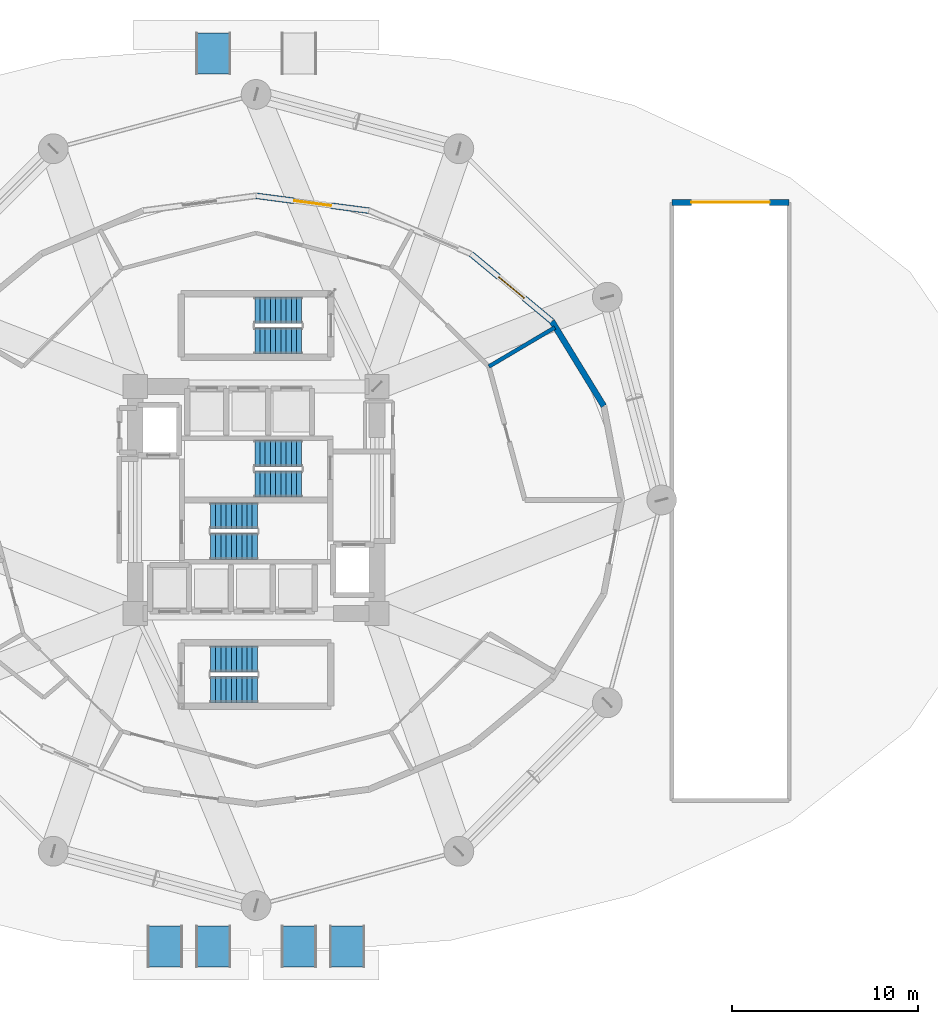
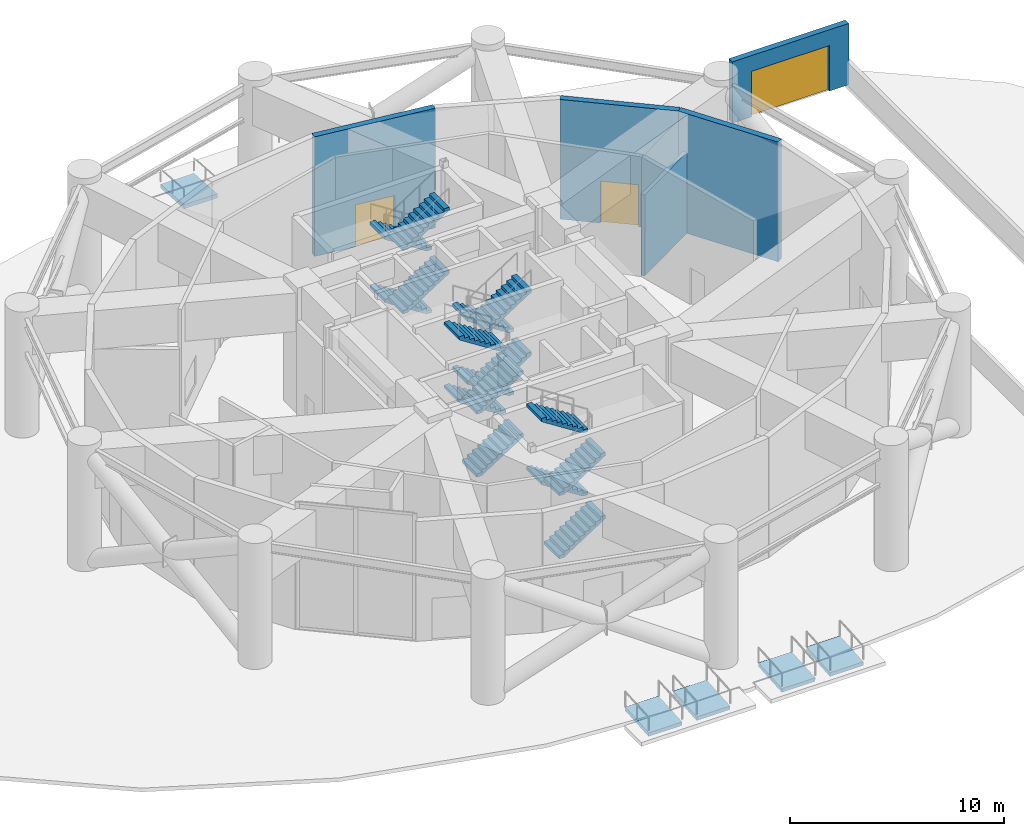
# One storey, part 12 of 16: 16 stair flights, 5 ramp flights, 5 walls, 3 doors, 3 openings, 9 elements without a shape of their own.
"""IFC4 building model written with IfcOpenShell, lengths in metres."""

from ifc_helpers import new_model, si_unit, direction, frame, frame_2d, origin, place, context, subcontext, project, spatial, polyline, rectangle, outline, extrude, material, layer, layer_set, type_object, element, fill, aggregate, save


model = new_model("IFC4")

# Units and contexts
model_context = context("Model", 3, precision=1e-05, world=origin(), true_north=direction((0.0, 1.0)))
body_context = subcontext(model_context, "Body", "Model", "MODEL_VIEW")
ifc_project = project(units=[si_unit("LENGTHUNIT", "METRE"), si_unit("AREAUNIT", "SQUARE_METRE"), si_unit("VOLUMEUNIT", "CUBIC_METRE"), si_unit("PLANEANGLEUNIT", "RADIAN"), si_unit("MASSUNIT", "GRAM", prefix="KILO")], contexts=[model_context])

# Site, building, storey
site_placement = place(None, origin())
site = spatial("IfcSite", under=ifc_project, at=site_placement, CompositionType="ELEMENT")
building_placement = place(site_placement, origin())
building = spatial("IfcBuilding", under=site, at=building_placement, Name="Solvirekh Grand Hotel", CompositionType="ELEMENT")
storey_placement = place(building_placement, origin())
storey = spatial("IfcBuildingStorey", under=building, at=storey_placement, Name="L00", CompositionType="ELEMENT", Elevation=0.0)

# Wall, opening, door
ifc_material_1 = material(Name="Precast concrete C45/55", Category="concrete")
ifc_layer_1 = layer(ifc_material_1, 0.320068359375)
ifc_layer_set_1 = layer_set([ifc_layer_1], Name="Precast concrete C45/55")
wall_type_1 = type_object("IfcWallType", Name="ExtLobbyWall_RC320", PredefinedType="SOLIDWALL", material=ifc_layer_set_1)
wall_1_placement = place(storey_placement, frame((22.35009765625, 16.0, 0.0), z_axis=(0.0, 0.0, 1.0), x_axis=(1.0, 0.0, 0.0)))
wall_1 = element("IfcWall", 1, at=wall_1_placement, inside=storey, type_object=wall_type_1, Name="L00 car-park ramp entry portal head wall", PredefinedType="SOLIDWALL", context=body_context, shape_type="SweptSolid", body=[
    extrude(rectangle(XDim=6.2998046875, YDim=0.320068359375, at=frame_2d((3.14990234375, 0.0))), origin(), (0.0, 0.0, 1.0), 3.5),
])
opening_1_placement = place(wall_1_placement, frame((1.050048828125, 0.0, 0.0)))
opening_1 = element("IfcOpeningElement", 2, at=opening_1_placement, cuts=wall_1, Name="Opening VG01", PredefinedType="OPENING", context=body_context, shape_type="SweptSolid", body=[
    extrude(rectangle(XDim=4.199951171875, YDim=2.60009765625, at=frame_2d((2.10009765625, 1.300048828125))), frame((0.0, 0.169921875, 0.0), z_axis=(0.0, -1.0, 0.0), x_axis=(1.0, 0.0, 0.0)), (0.0, 0.0, 1.0), 0.340087890625),
])
ifc_material_2 = material(Name="Fire-Rated Steel Door Assembly", Category="steel")
door_type_1 = type_object("IfcDoorType", Name="Gate_VehicleRamp_4200X2600", OperationType="ROLLINGUP", PredefinedType="GATE", material=ifc_material_2)
door_1_placement = place(opening_1_placement, origin())
door_1 = element("IfcDoor", 3, at=door_1_placement, inside=storey, type_object=door_type_1, Name="L00 car-park vehicle ramp insulated shutter gate", OperationType="ROLLINGUP", OverallHeight=2.60009765625, OverallWidth=4.199951171875, PredefinedType="GATE", context=body_context, shape_type="SweptSolid", body=[
    extrude(rectangle(XDim=4.199951171875, YDim=2.60009765625, at=frame_2d((2.10009765625, 1.300048828125))), frame((0.0, 0.02490234375, 0.0), z_axis=(0.0, -1.0, 0.0), x_axis=(1.0, 0.0, 0.0)), (0.0, 0.0, 1.0), 0.050048828125),
])
fill(opening_1, door_1)

# Wall
wall_2_placement = place(storey_placement, frame((15.89697265625, 9.610107421875, 0.0), z_axis=(0.0, 0.0, 1.0), x_axis=(0.522199966643, -0.852823073585, 0.0)))
element("IfcWall", 4, at=wall_2_placement, inside=storey, type_object=wall_type_1, Name="L00 exterior structural wall chord 2", PredefinedType="SOLIDWALL", context=body_context, shape_type="SweptSolid", body=[
    extrude(rectangle(XDim=5.3447265625, YDim=0.320068359375, at=frame_2d((2.67236328125, 0.0))), origin(), (0.0, 0.0, 1.0), 6.840087890625),
])

# Wall, opening, door
wall_3_placement = place(storey_placement, frame((11.550048828125, 13.22705078125, 0.0), z_axis=(0.0, 0.0, 1.0), x_axis=(0.768698801906, -0.639610937952, 0.0)))
wall_3 = element("IfcWall", 5, at=wall_3_placement, inside=storey, type_object=wall_type_1, Name="L00 exterior structural wall chord 3", PredefinedType="SOLIDWALL", context=body_context, shape_type="SweptSolid", body=[
    extrude(rectangle(XDim=5.655029296875, YDim=0.320068359375, at=frame_2d((2.82763671875, 0.0))), origin(), (0.0, 0.0, 1.0), 6.840087890625),
])
opening_2_placement = place(wall_3_placement, frame((1.927978515625, 0.0, 0.0)))
opening_2 = element("IfcOpeningElement", 6, at=opening_2_placement, cuts=wall_3, Name="Opening D02", PredefinedType="OPENING", context=body_context, shape_type="SweptSolid", body=[
    extrude(rectangle(XDim=1.800048828125, YDim=2.39990234375, at=frame_2d((0.89990234375, 1.199951171875))), frame((0.0, 0.169921875, 0.0), z_axis=(0.0, -1.0, 0.0), x_axis=(1.0, 0.0, 0.0)), (0.0, 0.0, 1.0), 0.340087890625),
])
ifc_material_3 = material(Name="Anodized Bronze Aluminium 6063-T6", Category="aluminium")
door_type_2 = type_object("IfcDoorType", Name="Door_ExtExit_1800X2400", OperationType="NOTDEFINED", PredefinedType="DOOR", material=ifc_material_3)
door_2_placement = place(opening_2_placement, origin())
door_2 = element("IfcDoor", 7, at=door_2_placement, inside=storey, type_object=door_type_2, Name="L00 Fire Command Room exterior access door (3)", OperationType="SINGLE_SWING_LEFT", OverallHeight=2.39990234375, OverallWidth=1.800048828125, PredefinedType="DOOR", context=body_context, shape_type="SweptSolid", body=[
    extrude(rectangle(XDim=1.800048828125, YDim=2.39990234375, at=frame_2d((0.89990234375, 1.199951171875))), frame((0.0, 0.02490234375, 0.0), z_axis=(0.0, -1.0, 0.0), x_axis=(1.0, 0.0, 0.0)), (0.0, 0.0, 1.0), 0.050048828125),
])
fill(opening_2, door_2)

wall_4_placement = place(storey_placement, frame((0.0, 16.35009765625, 0.0), z_axis=(0.0, 0.0, 1.0), x_axis=(0.991431078494, -0.130630840908, 0.0)))
wall_4 = element("IfcWall", 8, at=wall_4_placement, inside=storey, type_object=wall_type_1, Name="L00 exterior structural wall chord 5", PredefinedType="SOLIDWALL", context=body_context, shape_type="SweptSolid", body=[
    extrude(rectangle(XDim=6.12451171875, YDim=0.320068359375, at=frame_2d((3.062255859375, 0.0))), origin(), (0.0, 0.0, 1.0), 6.840087890625),
])
opening_3_placement = place(wall_4_placement, frame((2.06201171875, 0.0, 0.0)))
opening_3 = element("IfcOpeningElement", 9, at=opening_3_placement, cuts=wall_4, Name="Opening D01", PredefinedType="OPENING", context=body_context, shape_type="SweptSolid", body=[
    extrude(rectangle(XDim=2.0, YDim=2.39990234375, at=frame_2d((1.0, 1.199951171875))), frame((0.0, 0.169921875, 0.0), z_axis=(0.0, -1.0, 0.0), x_axis=(1.0, 0.0, 0.0)), (0.0, 0.0, 1.0), 0.340087890625),
])
door_type_3 = type_object("IfcDoorType", Name="Door_ExtExit_2000X2400", OperationType="NOTDEFINED", PredefinedType="DOOR", material=ifc_material_3)
door_3_placement = place(opening_3_placement, origin())
door_3 = element("IfcDoor", 10, at=door_3_placement, inside=storey, type_object=door_type_3, Name="L00 North porte-cochere entrance door (5)", OperationType="SINGLE_SWING_LEFT", OverallHeight=2.39990234375, OverallWidth=2.0, PredefinedType="DOOR", context=body_context, shape_type="SweptSolid", body=[
    extrude(rectangle(XDim=2.0, YDim=2.39990234375, at=frame_2d((1.0, 1.199951171875))), frame((0.0, 0.02490234375, 0.0), z_axis=(0.0, -1.0, 0.0), x_axis=(1.0, 0.0, 0.0)), (0.0, 0.0, 1.0), 0.050048828125),
])
fill(opening_3, door_3)

# Wall
ifc_material_4 = material(Name="Acoustic Gypsum Partition Assembly")
ifc_layer_2 = layer(ifc_material_4, 0.2099609375)
ifc_layer_set_2 = layer_set([ifc_layer_2], Name="Acoustic Gypsum Partition Assembly")
wall_type_2 = type_object("IfcWallType", Name="Part_SuiteDemise_210", PredefinedType="PARTITIONING", material=ifc_layer_set_2)
wall_5_placement = place(storey_placement, frame((12.513916015625, 7.175048828125, 0.0), z_axis=(0.0, 0.0, 1.0), x_axis=(0.860750596586, 0.509026925101, 0.0)))
element("IfcWall", 11, at=wall_5_placement, inside=storey, type_object=wall_type_2, Name="L00 radial demising wall 2", PredefinedType="PARTITIONING", context=body_context, shape_type="SweptSolid", body=[
    extrude(rectangle(XDim=4.11767578125, YDim=0.2099609375, at=frame_2d((2.058837890625, 0.0))), origin(), (0.0, 0.0, 1.0), 4.625),
])

# Stair, stair flights
ifc_material_5 = material(Name="Concrete C40/50", Category="concrete")
stair_type_1 = type_object("IfcStairType", Name="Stair_Core_1450", PredefinedType="HALF_TURN_STAIR", material=ifc_material_5)
stair_1_placement = place(storey_placement, origin())
stair_1 = element("IfcStair", 12, at=stair_1_placement, inside=storey, type_object=stair_type_1, Name="L00 Enclosed exit stair ST-1", PredefinedType="HALF_TURN_STAIR")
stair_flight_type_1 = type_object("IfcStairFlightType", Name="Flight_Core_1450", PredefinedType="STRAIGHT", material=ifc_material_5)
stair_flight_1_placement = place(storey_placement, frame((-2.449951171875, -2.5, 0.0), z_axis=(0.0, 0.0, 1.0), x_axis=(1.0, 0.0, 0.0)))
stair_flight_1 = element("IfcStairFlight", 13, at=stair_flight_1_placement, type_object=stair_flight_type_1, Name="ST-1 flight 1", NumberOfRisers=10, NumberOfTreads=9, PredefinedType="STRAIGHT", RiserHeight=0.18, TreadLength=0.28, context=body_context, shape_type="SweptSolid", body=[
    extrude(outline(polyline([(0.0, 0.0), (0.0, 0.179931640625), (0.280029296875, 0.179931640625), (0.280029296875, 0.360107421875), (0.56005859375, 0.360107421875), (0.56005859375, 0.5400390625), (0.840087890625, 0.5400390625), (0.840087890625, 0.719970703125), (1.1201171875, 0.719970703125), (1.1201171875, 0.89990234375), (1.39990234375, 0.89990234375), (1.39990234375, 1.080078125), (1.679931640625, 1.080078125), (1.679931640625, 1.260009765625), (1.9599609375, 1.260009765625), (1.9599609375, 1.43994140625), (2.239990234375, 1.43994140625), (2.239990234375, 1.6201171875), (2.52001953125, 1.6201171875), (2.52001953125, 1.800048828125), (2.52001953125, 1.44189453125), (0.277099609375, 0.0), (0.0, 0.0)])), frame((0.0, 0.699951171875, 0.0), z_axis=(0.0, -1.0, 0.0), x_axis=(1.0, 0.0, 0.0)), (0.0, 0.0, 1.0), 1.39990234375),
])
stair_flight_2_placement = place(storey_placement, frame((0.070068359375, -0.85009765625, 1.800048828125), z_axis=(0.0, 0.0, 1.0), x_axis=(-1.0, 0.0, 0.0)))
stair_flight_2 = element("IfcStairFlight", 14, at=stair_flight_2_placement, type_object=stair_flight_type_1, Name="ST-1 flight 2", NumberOfRisers=10, NumberOfTreads=9, PredefinedType="STRAIGHT", RiserHeight=0.18, TreadLength=0.28, context=body_context, shape_type="SweptSolid", body=[
    extrude(outline(polyline([(0.0, 0.0), (0.0, 0.179931640625), (0.280029296875, 0.179931640625), (0.280029296875, 0.360107421875), (0.56005859375, 0.360107421875), (0.56005859375, 0.5400390625), (0.840087890625, 0.5400390625), (0.840087890625, 0.719970703125), (1.1201171875, 0.719970703125), (1.1201171875, 0.89990234375), (1.39990234375, 0.89990234375), (1.39990234375, 1.080078125), (1.679931640625, 1.080078125), (1.679931640625, 1.260009765625), (1.9599609375, 1.260009765625), (1.9599609375, 1.43994140625), (2.239990234375, 1.43994140625), (2.239990234375, 1.6201171875), (2.52001953125, 1.6201171875), (2.52001953125, 1.800048828125), (2.52001953125, 1.44189453125), (0.277099609375, 0.0), (0.0, 0.0)])), frame((0.0, 0.699951171875, 0.0), z_axis=(0.0, -1.0, 0.0), x_axis=(1.0, 0.0, 0.0)), (0.0, 0.0, 1.0), 1.39990234375),
])
stair_flight_3_placement = place(storey_placement, frame((-2.449951171875, -2.5, 3.60009765625), z_axis=(0.0, 0.0, 1.0), x_axis=(1.0, 0.0, 0.0)))
stair_flight_3 = element("IfcStairFlight", 15, at=stair_flight_3_placement, type_object=stair_flight_type_1, Name="ST-1 flight 3", NumberOfRisers=10, NumberOfTreads=9, PredefinedType="STRAIGHT", RiserHeight=0.18, TreadLength=0.28, context=body_context, shape_type="SweptSolid", body=[
    extrude(outline(polyline([(0.0, 0.0), (0.0, 0.179931640625), (0.280029296875, 0.179931640625), (0.280029296875, 0.360107421875), (0.56005859375, 0.360107421875), (0.56005859375, 0.5400390625), (0.840087890625, 0.5400390625), (0.840087890625, 0.719970703125), (1.1201171875, 0.719970703125), (1.1201171875, 0.89990234375), (1.39990234375, 0.89990234375), (1.39990234375, 1.080078125), (1.679931640625, 1.080078125), (1.679931640625, 1.260009765625), (1.9599609375, 1.260009765625), (1.9599609375, 1.43994140625), (2.239990234375, 1.43994140625), (2.239990234375, 1.6201171875), (2.52001953125, 1.6201171875), (2.52001953125, 1.800048828125), (2.52001953125, 1.44189453125), (0.277099609375, 0.0), (0.0, 0.0)])), frame((0.0, 0.699951171875, 0.0), z_axis=(0.0, -1.0, 0.0), x_axis=(1.0, 0.0, 0.0)), (0.0, 0.0, 1.0), 1.39990234375),
])
stair_flight_4_placement = place(storey_placement, frame((0.070068359375, -0.85009765625, 5.39990234375), z_axis=(0.0, 0.0, 1.0), x_axis=(-1.0, 0.0, 0.0)))
stair_flight_4 = element("IfcStairFlight", 16, at=stair_flight_4_placement, type_object=stair_flight_type_1, Name="ST-1 flight 4", NumberOfRisers=10, NumberOfTreads=9, PredefinedType="STRAIGHT", RiserHeight=0.18, TreadLength=0.28, context=body_context, shape_type="SweptSolid", body=[
    extrude(outline(polyline([(0.0, 0.0), (0.0, 0.179931640625), (0.280029296875, 0.179931640625), (0.280029296875, 0.360107421875), (0.56005859375, 0.360107421875), (0.56005859375, 0.5400390625), (0.840087890625, 0.5400390625), (0.840087890625, 0.719970703125), (1.1201171875, 0.719970703125), (1.1201171875, 0.89990234375), (1.39990234375, 0.89990234375), (1.39990234375, 1.080078125), (1.679931640625, 1.080078125), (1.679931640625, 1.260009765625), (1.9599609375, 1.260009765625), (1.9599609375, 1.43994140625), (2.239990234375, 1.43994140625), (2.239990234375, 1.6201171875), (2.52001953125, 1.6201171875), (2.52001953125, 1.800048828125), (2.52001953125, 1.44189453125), (0.277099609375, 0.0), (0.0, 0.0)])), frame((0.0, 0.699951171875, 0.0), z_axis=(0.0, -1.0, 0.0), x_axis=(1.0, 0.0, 0.0)), (0.0, 0.0, 1.0), 1.39990234375),
])
aggregate(stair_1, [stair_flight_1, stair_flight_2, stair_flight_3, stair_flight_4])

stair_2_placement = place(storey_placement, origin())
stair_2 = element("IfcStair", 17, at=stair_2_placement, inside=storey, type_object=stair_type_1, Name="L00 Enclosed exit stair ST-2", PredefinedType="HALF_TURN_STAIR")
stair_flight_5_placement = place(storey_placement, frame((2.449951171875, 2.5, 0.0), z_axis=(0.0, 0.0, 1.0), x_axis=(-1.0, 0.0, 0.0)))
stair_flight_5 = element("IfcStairFlight", 18, at=stair_flight_5_placement, type_object=stair_flight_type_1, Name="ST-2 flight 1", NumberOfRisers=10, NumberOfTreads=9, PredefinedType="STRAIGHT", RiserHeight=0.18, TreadLength=0.28, context=body_context, shape_type="SweptSolid", body=[
    extrude(outline(polyline([(0.0, 0.0), (0.0, 0.179931640625), (0.280029296875, 0.179931640625), (0.280029296875, 0.360107421875), (0.56005859375, 0.360107421875), (0.56005859375, 0.5400390625), (0.840087890625, 0.5400390625), (0.840087890625, 0.719970703125), (1.1201171875, 0.719970703125), (1.1201171875, 0.89990234375), (1.39990234375, 0.89990234375), (1.39990234375, 1.080078125), (1.679931640625, 1.080078125), (1.679931640625, 1.260009765625), (1.9599609375, 1.260009765625), (1.9599609375, 1.43994140625), (2.239990234375, 1.43994140625), (2.239990234375, 1.6201171875), (2.52001953125, 1.6201171875), (2.52001953125, 1.800048828125), (2.52001953125, 1.44189453125), (0.277099609375, 0.0), (0.0, 0.0)])), frame((0.0, 0.699951171875, 0.0), z_axis=(0.0, -1.0, 0.0), x_axis=(1.0, 0.0, 0.0)), (0.0, 0.0, 1.0), 1.39990234375),
])
stair_flight_6_placement = place(storey_placement, frame((-0.070068359375, 0.85009765625, 1.800048828125), z_axis=(0.0, 0.0, 1.0), x_axis=(1.0, 0.0, 0.0)))
stair_flight_6 = element("IfcStairFlight", 19, at=stair_flight_6_placement, type_object=stair_flight_type_1, Name="ST-2 flight 2", NumberOfRisers=10, NumberOfTreads=9, PredefinedType="STRAIGHT", RiserHeight=0.18, TreadLength=0.28, context=body_context, shape_type="SweptSolid", body=[
    extrude(outline(polyline([(0.0, 0.0), (0.0, 0.179931640625), (0.280029296875, 0.179931640625), (0.280029296875, 0.360107421875), (0.56005859375, 0.360107421875), (0.56005859375, 0.5400390625), (0.840087890625, 0.5400390625), (0.840087890625, 0.719970703125), (1.1201171875, 0.719970703125), (1.1201171875, 0.89990234375), (1.39990234375, 0.89990234375), (1.39990234375, 1.080078125), (1.679931640625, 1.080078125), (1.679931640625, 1.260009765625), (1.9599609375, 1.260009765625), (1.9599609375, 1.43994140625), (2.239990234375, 1.43994140625), (2.239990234375, 1.6201171875), (2.52001953125, 1.6201171875), (2.52001953125, 1.800048828125), (2.52001953125, 1.44189453125), (0.277099609375, 0.0), (0.0, 0.0)])), frame((0.0, 0.699951171875, 0.0), z_axis=(0.0, -1.0, 0.0), x_axis=(1.0, 0.0, 0.0)), (0.0, 0.0, 1.0), 1.39990234375),
])
stair_flight_7_placement = place(storey_placement, frame((2.449951171875, 2.5, 3.60009765625), z_axis=(0.0, 0.0, 1.0), x_axis=(-1.0, 0.0, 0.0)))
stair_flight_7 = element("IfcStairFlight", 20, at=stair_flight_7_placement, type_object=stair_flight_type_1, Name="ST-2 flight 3", NumberOfRisers=10, NumberOfTreads=9, PredefinedType="STRAIGHT", RiserHeight=0.18, TreadLength=0.28, context=body_context, shape_type="SweptSolid", body=[
    extrude(outline(polyline([(0.0, 0.0), (0.0, 0.179931640625), (0.280029296875, 0.179931640625), (0.280029296875, 0.360107421875), (0.56005859375, 0.360107421875), (0.56005859375, 0.5400390625), (0.840087890625, 0.5400390625), (0.840087890625, 0.719970703125), (1.1201171875, 0.719970703125), (1.1201171875, 0.89990234375), (1.39990234375, 0.89990234375), (1.39990234375, 1.080078125), (1.679931640625, 1.080078125), (1.679931640625, 1.260009765625), (1.9599609375, 1.260009765625), (1.9599609375, 1.43994140625), (2.239990234375, 1.43994140625), (2.239990234375, 1.6201171875), (2.52001953125, 1.6201171875), (2.52001953125, 1.800048828125), (2.52001953125, 1.44189453125), (0.277099609375, 0.0), (0.0, 0.0)])), frame((0.0, 0.699951171875, 0.0), z_axis=(0.0, -1.0, 0.0), x_axis=(1.0, 0.0, 0.0)), (0.0, 0.0, 1.0), 1.39990234375),
])
stair_flight_8_placement = place(storey_placement, frame((-0.070068359375, 0.85009765625, 5.39990234375), z_axis=(0.0, 0.0, 1.0), x_axis=(1.0, 0.0, 0.0)))
stair_flight_8 = element("IfcStairFlight", 21, at=stair_flight_8_placement, type_object=stair_flight_type_1, Name="ST-2 flight 4", NumberOfRisers=10, NumberOfTreads=9, PredefinedType="STRAIGHT", RiserHeight=0.18, TreadLength=0.28, context=body_context, shape_type="SweptSolid", body=[
    extrude(outline(polyline([(0.0, 0.0), (0.0, 0.179931640625), (0.280029296875, 0.179931640625), (0.280029296875, 0.360107421875), (0.56005859375, 0.360107421875), (0.56005859375, 0.5400390625), (0.840087890625, 0.5400390625), (0.840087890625, 0.719970703125), (1.1201171875, 0.719970703125), (1.1201171875, 0.89990234375), (1.39990234375, 0.89990234375), (1.39990234375, 1.080078125), (1.679931640625, 1.080078125), (1.679931640625, 1.260009765625), (1.9599609375, 1.260009765625), (1.9599609375, 1.43994140625), (2.239990234375, 1.43994140625), (2.239990234375, 1.6201171875), (2.52001953125, 1.6201171875), (2.52001953125, 1.800048828125), (2.52001953125, 1.44189453125), (0.277099609375, 0.0), (0.0, 0.0)])), frame((0.0, 0.699951171875, 0.0), z_axis=(0.0, -1.0, 0.0), x_axis=(1.0, 0.0, 0.0)), (0.0, 0.0, 1.0), 1.39990234375),
])
aggregate(stair_2, [stair_flight_5, stair_flight_6, stair_flight_7, stair_flight_8])

ifc_material_6 = material(Name="Steel S355", Category="steel")
stair_type_2 = type_object("IfcStairType", Name="Stair_Grand_2000", PredefinedType="STRAIGHT_RUN_STAIR", material=ifc_material_6)
stair_3_placement = place(storey_placement, origin())
stair_3 = element("IfcStair", 22, at=stair_3_placement, inside=storey, type_object=stair_type_2, Name="L00 Enclosed exit stair ST-4", PredefinedType="STRAIGHT_RUN_STAIR")
stair_flight_type_2 = type_object("IfcStairFlightType", Name="Flight_Grand_2000", PredefinedType="STRAIGHT", material=ifc_material_6)
stair_flight_9_placement = place(storey_placement, frame((2.449951171875, 10.199951171875, 0.0), z_axis=(0.0, 0.0, 1.0), x_axis=(-1.0, 0.0, 0.0)))
stair_flight_9 = element("IfcStairFlight", 23, at=stair_flight_9_placement, type_object=stair_flight_type_2, Name="ST-4 flight 1", NumberOfRisers=10, NumberOfTreads=9, PredefinedType="STRAIGHT", RiserHeight=0.18, TreadLength=0.28, context=body_context, shape_type="SweptSolid", body=[
    extrude(outline(polyline([(0.0, 0.0), (0.0, 0.179931640625), (0.280029296875, 0.179931640625), (0.280029296875, 0.360107421875), (0.56005859375, 0.360107421875), (0.56005859375, 0.5400390625), (0.840087890625, 0.5400390625), (0.840087890625, 0.719970703125), (1.1201171875, 0.719970703125), (1.1201171875, 0.89990234375), (1.39990234375, 0.89990234375), (1.39990234375, 1.080078125), (1.679931640625, 1.080078125), (1.679931640625, 1.260009765625), (1.9599609375, 1.260009765625), (1.9599609375, 1.43994140625), (2.239990234375, 1.43994140625), (2.239990234375, 1.6201171875), (2.52001953125, 1.6201171875), (2.52001953125, 1.800048828125), (2.52001953125, 1.44189453125), (0.277099609375, 0.0), (0.0, 0.0)])), frame((0.0, 0.699951171875, 0.0), z_axis=(0.0, -1.0, 0.0), x_axis=(1.0, 0.0, 0.0)), (0.0, 0.0, 1.0), 1.39990234375),
])
stair_flight_10_placement = place(storey_placement, frame((-0.070068359375, 8.550048828125, 1.800048828125), z_axis=(0.0, 0.0, 1.0), x_axis=(1.0, 0.0, 0.0)))
stair_flight_10 = element("IfcStairFlight", 24, at=stair_flight_10_placement, type_object=stair_flight_type_2, Name="ST-4 flight 2", NumberOfRisers=10, NumberOfTreads=9, PredefinedType="STRAIGHT", RiserHeight=0.18, TreadLength=0.28, context=body_context, shape_type="SweptSolid", body=[
    extrude(outline(polyline([(0.0, 0.0), (0.0, 0.179931640625), (0.280029296875, 0.179931640625), (0.280029296875, 0.360107421875), (0.56005859375, 0.360107421875), (0.56005859375, 0.5400390625), (0.840087890625, 0.5400390625), (0.840087890625, 0.719970703125), (1.1201171875, 0.719970703125), (1.1201171875, 0.89990234375), (1.39990234375, 0.89990234375), (1.39990234375, 1.080078125), (1.679931640625, 1.080078125), (1.679931640625, 1.260009765625), (1.9599609375, 1.260009765625), (1.9599609375, 1.43994140625), (2.239990234375, 1.43994140625), (2.239990234375, 1.6201171875), (2.52001953125, 1.6201171875), (2.52001953125, 1.800048828125), (2.52001953125, 1.44189453125), (0.277099609375, 0.0), (0.0, 0.0)])), frame((0.0, 0.699951171875, 0.0), z_axis=(0.0, -1.0, 0.0), x_axis=(1.0, 0.0, 0.0)), (0.0, 0.0, 1.0), 1.39990234375),
])
stair_flight_11_placement = place(storey_placement, frame((2.449951171875, 10.199951171875, 3.60009765625), z_axis=(0.0, 0.0, 1.0), x_axis=(-1.0, 0.0, 0.0)))
stair_flight_11 = element("IfcStairFlight", 25, at=stair_flight_11_placement, type_object=stair_flight_type_2, Name="ST-4 flight 3", NumberOfRisers=10, NumberOfTreads=9, PredefinedType="STRAIGHT", RiserHeight=0.18, TreadLength=0.28, context=body_context, shape_type="SweptSolid", body=[
    extrude(outline(polyline([(0.0, 0.0), (0.0, 0.179931640625), (0.280029296875, 0.179931640625), (0.280029296875, 0.360107421875), (0.56005859375, 0.360107421875), (0.56005859375, 0.5400390625), (0.840087890625, 0.5400390625), (0.840087890625, 0.719970703125), (1.1201171875, 0.719970703125), (1.1201171875, 0.89990234375), (1.39990234375, 0.89990234375), (1.39990234375, 1.080078125), (1.679931640625, 1.080078125), (1.679931640625, 1.260009765625), (1.9599609375, 1.260009765625), (1.9599609375, 1.43994140625), (2.239990234375, 1.43994140625), (2.239990234375, 1.6201171875), (2.52001953125, 1.6201171875), (2.52001953125, 1.800048828125), (2.52001953125, 1.44189453125), (0.277099609375, 0.0), (0.0, 0.0)])), frame((0.0, 0.699951171875, 0.0), z_axis=(0.0, -1.0, 0.0), x_axis=(1.0, 0.0, 0.0)), (0.0, 0.0, 1.0), 1.39990234375),
])
stair_flight_12_placement = place(storey_placement, frame((-0.070068359375, 8.550048828125, 5.39990234375), z_axis=(0.0, 0.0, 1.0), x_axis=(1.0, 0.0, 0.0)))
stair_flight_12 = element("IfcStairFlight", 26, at=stair_flight_12_placement, type_object=stair_flight_type_2, Name="ST-4 flight 4", NumberOfRisers=10, NumberOfTreads=9, PredefinedType="STRAIGHT", RiserHeight=0.18, TreadLength=0.28, context=body_context, shape_type="SweptSolid", body=[
    extrude(outline(polyline([(0.0, 0.0), (0.0, 0.179931640625), (0.280029296875, 0.179931640625), (0.280029296875, 0.360107421875), (0.56005859375, 0.360107421875), (0.56005859375, 0.5400390625), (0.840087890625, 0.5400390625), (0.840087890625, 0.719970703125), (1.1201171875, 0.719970703125), (1.1201171875, 0.89990234375), (1.39990234375, 0.89990234375), (1.39990234375, 1.080078125), (1.679931640625, 1.080078125), (1.679931640625, 1.260009765625), (1.9599609375, 1.260009765625), (1.9599609375, 1.43994140625), (2.239990234375, 1.43994140625), (2.239990234375, 1.6201171875), (2.52001953125, 1.6201171875), (2.52001953125, 1.800048828125), (2.52001953125, 1.44189453125), (0.277099609375, 0.0), (0.0, 0.0)])), frame((0.0, 0.699951171875, 0.0), z_axis=(0.0, -1.0, 0.0), x_axis=(1.0, 0.0, 0.0)), (0.0, 0.0, 1.0), 1.39990234375),
])
aggregate(stair_3, [stair_flight_9, stair_flight_10, stair_flight_11, stair_flight_12])

stair_type_3 = type_object("IfcStairType", Name="Stair_Pod_1600", PredefinedType="HALF_TURN_STAIR", material=ifc_material_5)
stair_4_placement = place(storey_placement, origin())
stair_4 = element("IfcStair", 27, at=stair_4_placement, inside=storey, type_object=stair_type_3, Name="L00 Enclosed exit stair ST-3", PredefinedType="HALF_TURN_STAIR")
stair_flight_type_3 = type_object("IfcStairFlightType", Name="Flight_Pod_1600", PredefinedType="STRAIGHT", material=ifc_material_5)
stair_flight_13_placement = place(storey_placement, frame((-2.449951171875, -10.199951171875, 0.0), z_axis=(0.0, 0.0, 1.0), x_axis=(1.0, 0.0, 0.0)))
stair_flight_13 = element("IfcStairFlight", 28, at=stair_flight_13_placement, type_object=stair_flight_type_3, Name="ST-3 flight 1", NumberOfRisers=10, NumberOfTreads=9, PredefinedType="STRAIGHT", RiserHeight=0.18, TreadLength=0.28, context=body_context, shape_type="SweptSolid", body=[
    extrude(outline(polyline([(0.0, 0.0), (0.0, 0.179931640625), (0.280029296875, 0.179931640625), (0.280029296875, 0.360107421875), (0.56005859375, 0.360107421875), (0.56005859375, 0.5400390625), (0.840087890625, 0.5400390625), (0.840087890625, 0.719970703125), (1.1201171875, 0.719970703125), (1.1201171875, 0.89990234375), (1.39990234375, 0.89990234375), (1.39990234375, 1.080078125), (1.679931640625, 1.080078125), (1.679931640625, 1.260009765625), (1.9599609375, 1.260009765625), (1.9599609375, 1.43994140625), (2.239990234375, 1.43994140625), (2.239990234375, 1.6201171875), (2.52001953125, 1.6201171875), (2.52001953125, 1.800048828125), (2.52001953125, 1.44189453125), (0.277099609375, 0.0), (0.0, 0.0)])), frame((0.0, 0.699951171875, 0.0), z_axis=(0.0, -1.0, 0.0), x_axis=(1.0, 0.0, 0.0)), (0.0, 0.0, 1.0), 1.39990234375),
])
stair_flight_14_placement = place(storey_placement, frame((0.070068359375, -8.550048828125, 1.800048828125), z_axis=(0.0, 0.0, 1.0), x_axis=(-1.0, 0.0, 0.0)))
stair_flight_14 = element("IfcStairFlight", 29, at=stair_flight_14_placement, type_object=stair_flight_type_3, Name="ST-3 flight 2", NumberOfRisers=10, NumberOfTreads=9, PredefinedType="STRAIGHT", RiserHeight=0.18, TreadLength=0.28, context=body_context, shape_type="SweptSolid", body=[
    extrude(outline(polyline([(0.0, 0.0), (0.0, 0.179931640625), (0.280029296875, 0.179931640625), (0.280029296875, 0.360107421875), (0.56005859375, 0.360107421875), (0.56005859375, 0.5400390625), (0.840087890625, 0.5400390625), (0.840087890625, 0.719970703125), (1.1201171875, 0.719970703125), (1.1201171875, 0.89990234375), (1.39990234375, 0.89990234375), (1.39990234375, 1.080078125), (1.679931640625, 1.080078125), (1.679931640625, 1.260009765625), (1.9599609375, 1.260009765625), (1.9599609375, 1.43994140625), (2.239990234375, 1.43994140625), (2.239990234375, 1.6201171875), (2.52001953125, 1.6201171875), (2.52001953125, 1.800048828125), (2.52001953125, 1.44189453125), (0.277099609375, 0.0), (0.0, 0.0)])), frame((0.0, 0.699951171875, 0.0), z_axis=(0.0, -1.0, 0.0), x_axis=(1.0, 0.0, 0.0)), (0.0, 0.0, 1.0), 1.39990234375),
])
stair_flight_15_placement = place(storey_placement, frame((-2.449951171875, -10.199951171875, 3.60009765625), z_axis=(0.0, 0.0, 1.0), x_axis=(1.0, 0.0, 0.0)))
stair_flight_15 = element("IfcStairFlight", 30, at=stair_flight_15_placement, type_object=stair_flight_type_3, Name="ST-3 flight 3", NumberOfRisers=10, NumberOfTreads=9, PredefinedType="STRAIGHT", RiserHeight=0.18, TreadLength=0.28, context=body_context, shape_type="SweptSolid", body=[
    extrude(outline(polyline([(0.0, 0.0), (0.0, 0.179931640625), (0.280029296875, 0.179931640625), (0.280029296875, 0.360107421875), (0.56005859375, 0.360107421875), (0.56005859375, 0.5400390625), (0.840087890625, 0.5400390625), (0.840087890625, 0.719970703125), (1.1201171875, 0.719970703125), (1.1201171875, 0.89990234375), (1.39990234375, 0.89990234375), (1.39990234375, 1.080078125), (1.679931640625, 1.080078125), (1.679931640625, 1.260009765625), (1.9599609375, 1.260009765625), (1.9599609375, 1.43994140625), (2.239990234375, 1.43994140625), (2.239990234375, 1.6201171875), (2.52001953125, 1.6201171875), (2.52001953125, 1.800048828125), (2.52001953125, 1.44189453125), (0.277099609375, 0.0), (0.0, 0.0)])), frame((0.0, 0.699951171875, 0.0), z_axis=(0.0, -1.0, 0.0), x_axis=(1.0, 0.0, 0.0)), (0.0, 0.0, 1.0), 1.39990234375),
])
stair_flight_16_placement = place(storey_placement, frame((0.070068359375, -8.550048828125, 5.39990234375), z_axis=(0.0, 0.0, 1.0), x_axis=(-1.0, 0.0, 0.0)))
stair_flight_16 = element("IfcStairFlight", 31, at=stair_flight_16_placement, type_object=stair_flight_type_3, Name="ST-3 flight 4", NumberOfRisers=10, NumberOfTreads=9, PredefinedType="STRAIGHT", RiserHeight=0.18, TreadLength=0.28, context=body_context, shape_type="SweptSolid", body=[
    extrude(outline(polyline([(0.0, 0.0), (0.0, 0.179931640625), (0.280029296875, 0.179931640625), (0.280029296875, 0.360107421875), (0.56005859375, 0.360107421875), (0.56005859375, 0.5400390625), (0.840087890625, 0.5400390625), (0.840087890625, 0.719970703125), (1.1201171875, 0.719970703125), (1.1201171875, 0.89990234375), (1.39990234375, 0.89990234375), (1.39990234375, 1.080078125), (1.679931640625, 1.080078125), (1.679931640625, 1.260009765625), (1.9599609375, 1.260009765625), (1.9599609375, 1.43994140625), (2.239990234375, 1.43994140625), (2.239990234375, 1.6201171875), (2.52001953125, 1.6201171875), (2.52001953125, 1.800048828125), (2.52001953125, 1.44189453125), (0.277099609375, 0.0), (0.0, 0.0)])), frame((0.0, 0.699951171875, 0.0), z_axis=(0.0, -1.0, 0.0), x_axis=(1.0, 0.0, 0.0)), (0.0, 0.0, 1.0), 1.39990234375),
])
aggregate(stair_4, [stair_flight_13, stair_flight_14, stair_flight_15, stair_flight_16])

# Ramp, ramp flight
ramp_type = type_object("IfcRampType", Name="Ramp_Access_1800", PredefinedType="STRAIGHT_RUN_RAMP", material=ifc_material_5)
ramp_1_placement = place(storey_placement, origin())
ramp_1 = element("IfcRamp", 32, at=ramp_1_placement, inside=storey, type_object=ramp_type, Name="Accessible pedestrian entrance ramp AR-1", PredefinedType="STRAIGHT_RUN_RAMP")
ifc_layer_3 = layer(ifc_material_5, 0.219970703125)
ifc_layer_set_3 = layer_set([ifc_layer_3], Name="Concrete C40/50")
ramp_flight_type = type_object("IfcRampFlightType", Name="RampFlight_Acc_220", PredefinedType="STRAIGHT", material=ifc_layer_set_3)
ramp_flight_1_placement = place(storey_placement, frame((-5.800048828125, -25.10009765625, -0.14990234375), z_axis=(0.0, -0.067973799757, 0.997687106535), x_axis=(1.0, 0.0, 0.0)))
ramp_flight_1 = element("IfcRampFlight", 33, at=ramp_flight_1_placement, type_object=ramp_flight_type, Name="Accessible pedestrian ramp flight AR-1", PredefinedType="STRAIGHT", context=body_context, shape_type="SweptSolid", body=[
    extrude(outline(polyline([(0.0, 0.0), (1.800048828125, 0.0), (1.800048828125, 2.20529592703762), (0.0, 2.20529592703762), (0.0, 0.0)])), origin(), (0.0, 0.0, -1.0), 0.219970703125),
])
aggregate(ramp_1, [ramp_flight_1])

ramp_2_placement = place(storey_placement, origin())
ramp_2 = element("IfcRamp", 34, at=ramp_2_placement, inside=storey, type_object=ramp_type, Name="Accessible pedestrian entrance ramp AR-2", PredefinedType="STRAIGHT_RUN_RAMP")
ramp_flight_2_placement = place(storey_placement, frame((-3.199951171875, -25.10009765625, -0.14990234375), z_axis=(0.0, -0.067973799757, 0.997687106535), x_axis=(1.0, 0.0, 0.0)))
ramp_flight_2 = element("IfcRampFlight", 35, at=ramp_flight_2_placement, type_object=ramp_flight_type, Name="Accessible pedestrian ramp flight AR-2", PredefinedType="STRAIGHT", context=body_context, shape_type="SweptSolid", body=[
    extrude(outline(polyline([(0.0, 0.0), (1.800048828125, 0.0), (1.800048828125, 2.20529592703762), (0.0, 2.20529592703762), (0.0, 0.0)])), origin(), (0.0, 0.0, -1.0), 0.219970703125),
])
aggregate(ramp_2, [ramp_flight_2])

ramp_3_placement = place(storey_placement, origin())
ramp_3 = element("IfcRamp", 36, at=ramp_3_placement, inside=storey, type_object=ramp_type, Name="Accessible pedestrian entrance ramp AR-3", PredefinedType="STRAIGHT_RUN_RAMP")
ramp_flight_3_placement = place(storey_placement, frame((1.39990234375, -25.10009765625, -0.14990234375), z_axis=(0.0, -0.067973799757, 0.997687106535), x_axis=(1.0, 0.0, 0.0)))
ramp_flight_3 = element("IfcRampFlight", 37, at=ramp_flight_3_placement, type_object=ramp_flight_type, Name="Accessible pedestrian ramp flight AR-3", PredefinedType="STRAIGHT", context=body_context, shape_type="SweptSolid", body=[
    extrude(outline(polyline([(0.0, 0.0), (1.800048828125, 0.0), (1.800048828125, 2.20529592703762), (0.0, 2.20529592703762), (0.0, 0.0)])), origin(), (0.0, 0.0, -1.0), 0.219970703125),
])
aggregate(ramp_3, [ramp_flight_3])

ramp_4_placement = place(storey_placement, origin())
ramp_4 = element("IfcRamp", 38, at=ramp_4_placement, inside=storey, type_object=ramp_type, Name="Accessible pedestrian entrance ramp AR-4", PredefinedType="STRAIGHT_RUN_RAMP")
ramp_flight_4_placement = place(storey_placement, frame((4.0, -25.10009765625, -0.14990234375), z_axis=(0.0, -0.067973799757, 0.997687106535), x_axis=(1.0, 0.0, 0.0)))
ramp_flight_4 = element("IfcRampFlight", 39, at=ramp_flight_4_placement, type_object=ramp_flight_type, Name="Accessible pedestrian ramp flight AR-4", PredefinedType="STRAIGHT", context=body_context, shape_type="SweptSolid", body=[
    extrude(outline(polyline([(0.0, 0.0), (1.800048828125, 0.0), (1.800048828125, 2.20529592703762), (0.0, 2.20529592703762), (0.0, 0.0)])), origin(), (0.0, 0.0, -1.0), 0.219970703125),
])
aggregate(ramp_4, [ramp_flight_4])

ramp_5_placement = place(storey_placement, origin())
ramp_5 = element("IfcRamp", 40, at=ramp_5_placement, inside=storey, type_object=ramp_type, Name="Accessible pedestrian entrance ramp AR-5", PredefinedType="STRAIGHT_RUN_RAMP")
ramp_flight_5_placement = place(storey_placement, frame((-3.199951171875, 22.89990234375, 0.0), z_axis=(0.0, 0.067973799757, 0.997687106535), x_axis=(1.0, 0.0, 0.0)))
ramp_flight_5 = element("IfcRampFlight", 41, at=ramp_flight_5_placement, type_object=ramp_flight_type, Name="Accessible pedestrian ramp flight AR-5", PredefinedType="STRAIGHT", context=body_context, shape_type="SweptSolid", body=[
    extrude(outline(polyline([(0.0, 0.0), (1.800048828125, 0.0), (1.800048828125, 2.20529592703762), (0.0, 2.20529592703762), (0.0, 0.0)])), origin(), (0.0, 0.0, -1.0), 0.219970703125),
])
aggregate(ramp_5, [ramp_flight_5])

save(model, "model.ifc")
